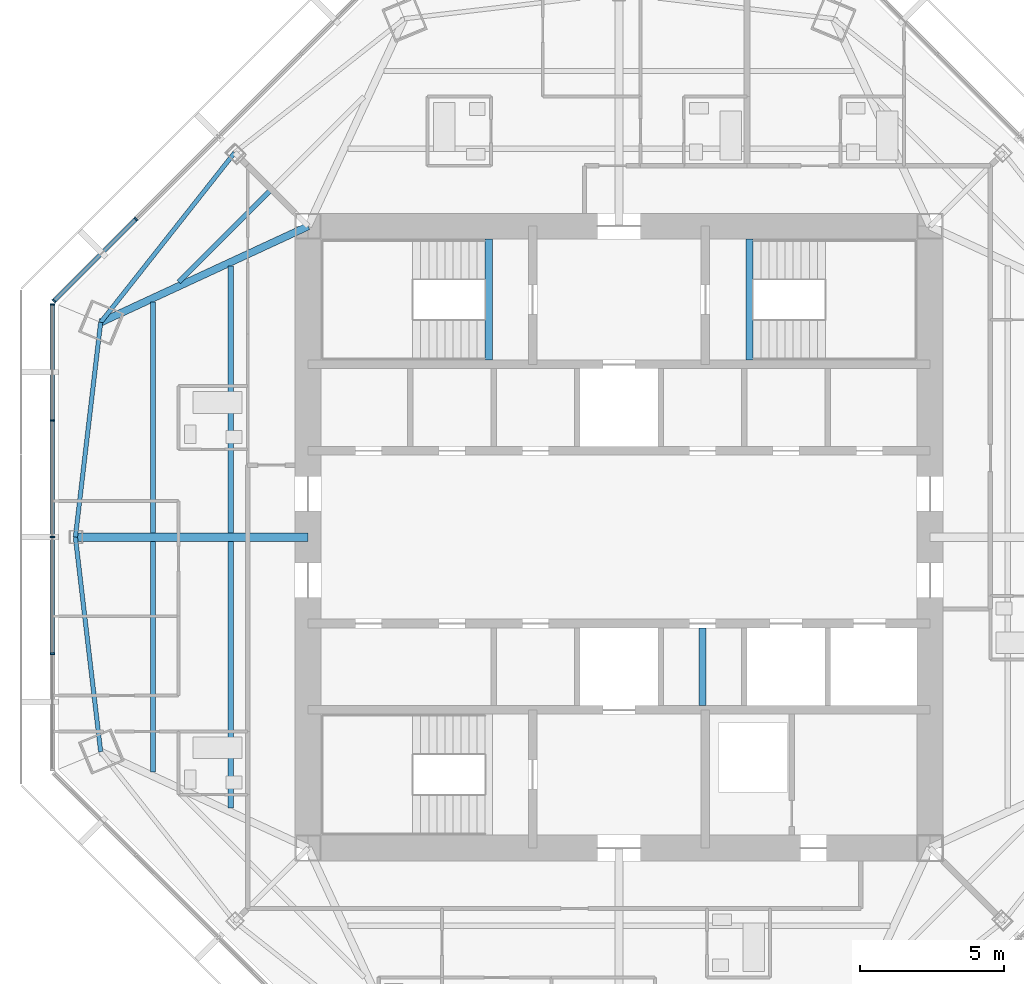
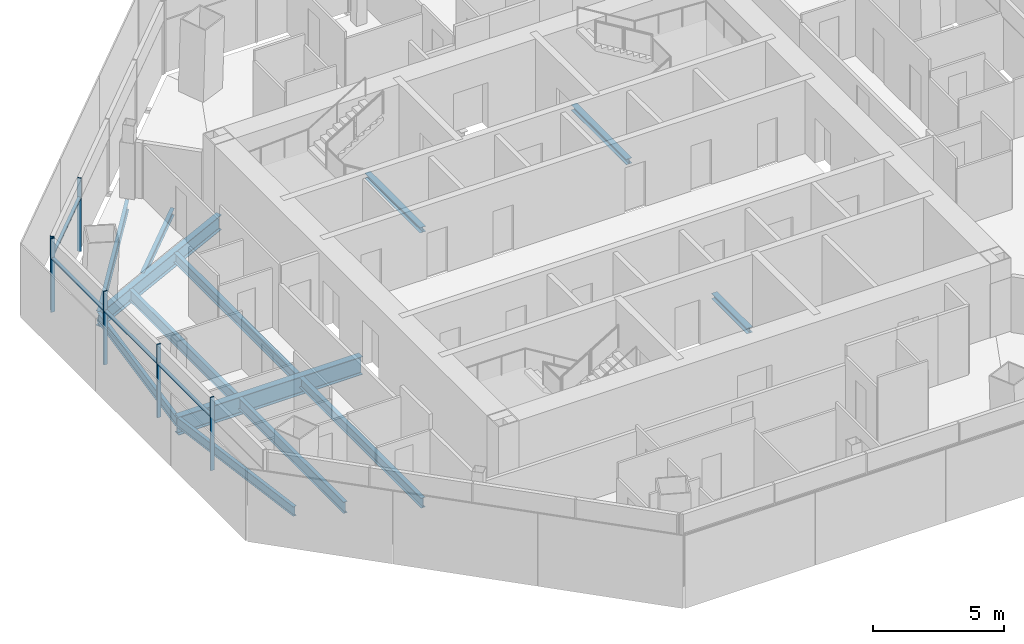
# One storey, part 4 of 15: 13 beams, 10 members, 2 elements without a shape of their own.
"""IFC4 building model written with IfcOpenShell, lengths in metres."""

from ifc_helpers import new_model, si_unit, direction, frame, origin, origin_2d, place, context, subcontext, project, spatial, rectangle, i_section, extrude, source, transform, mapped, material, material_profile, profile_set, type_object, type_shapes, element, aggregate, save


model = new_model("IFC4")

# Units and contexts
model_context = context("Model", 3, precision=1e-05, world=origin(), true_north=direction((0.0, 1.0)))
body_context = subcontext(model_context, "Body", "Model", "MODEL_VIEW")
ifc_project = project(units=[si_unit("LENGTHUNIT", "METRE"), si_unit("AREAUNIT", "SQUARE_METRE"), si_unit("VOLUMEUNIT", "CUBIC_METRE"), si_unit("PLANEANGLEUNIT", "RADIAN"), si_unit("MASSUNIT", "GRAM", prefix="KILO")], contexts=[model_context])

# Site, building, storey
site_placement = place(None, origin())
site = spatial("IfcSite", under=ifc_project, at=site_placement, CompositionType="ELEMENT")
building_placement = place(site_placement, origin())
building = spatial("IfcBuilding", under=site, at=building_placement, Name="Mashrafa Tower", CompositionType="ELEMENT")
storey_placement = place(building_placement, frame((0.0, 0.0, 294.60009765625)))
storey = spatial("IfcBuildingStorey", under=building, at=storey_placement, Name="L72", CompositionType="ELEMENT", Elevation=294.60009765625)

# Beams
ifc_material_1 = material(Name="Steel ASTM A992", Category="steel")
ifc_material_profile_1 = material_profile(ifc_material_1, i_section(OverallWidth=0.164794921875, OverallDepth=0.309814453125, WebThickness=0.005859375, FlangeThickness=0.009765625, FilletRadius=0.007568359375, at=origin_2d()), Name="W12X26")
ifc_profile_set_1 = profile_set([ifc_material_profile_1], Name="Steel ASTM A992")
beam_type_1 = type_object("IfcBeamType", Name="Beam W12X26", PredefinedType="BEAM", material=ifc_profile_set_1)
beam_1_placement = place(storey_placement, frame((-15.298095703125, 8.856689453125, -0.35498046875), z_axis=(0.707106781187, 0.707106781187, 0.0), x_axis=(-0.707106781187, 0.707106781187, 0.0)))
element("IfcBeam", 1, at=beam_1_placement, inside=storey, type_object=beam_type_1, Name="Floor beam L72 003", PredefinedType="BEAM", context=body_context, shape_type="SweptSolid", body=[
    extrude(i_section(OverallWidth=0.164794921875, OverallDepth=0.309814453125, WebThickness=0.005859375, FlangeThickness=0.009765625, FilletRadius=0.007568359375, at=origin_2d()), origin(), (0.0, 0.0, 1.0), 4.465576171875),
])
ifc_material_2 = material(Name="Steel ASTM A992", Category="steel")
ifc_material_profile_2 = material_profile(ifc_material_2, i_section(OverallWidth=0.15234375, OverallDepth=0.449462890625, WebThickness=0.007568359375, FlangeThickness=0.0107421875, FilletRadius=0.01025390625, at=origin_2d()), Name="W18X35")
ifc_profile_set_2 = profile_set([ifc_material_profile_2], Name="Steel ASTM A992")
beam_type_2 = type_object("IfcBeamType", Name="Beam W18X35", PredefinedType="BEAM", material=ifc_profile_set_2)
for number, where, z_axis, x_axis, name in (
    (2, (-18.88671875, 0.0, -0.4248046875), (0.116954405516, -0.993137285087, 0.0), (0.993137285087, 0.116954405516, 0.0), "Spandrel beam L72 041"),
    (3, (-18.00830078125, 7.459228515625, -0.4248046875), (-0.116954405516, -0.993137285087, 0.0), (0.993137285087, -0.116954405516, 0.0), "Spandrel beam L72 043"),
    (4, (-13.354736328125, 13.354736328125, -0.4248046875), (-0.619579997374, -0.784933517474, 0.0), (0.784933517474, -0.619579997374, 0.0), "Spandrel beam L72 045"),
):
    element("IfcBeam", number, at=place(storey_placement, frame(where, z_axis=z_axis, x_axis=x_axis)), inside=storey, type_object=beam_type_2, Name=name, PredefinedType="BEAM", context=body_context, shape_type="SweptSolid", body=[
        extrude(i_section(OverallWidth=0.15234375, OverallDepth=0.449462890625, WebThickness=0.007568359375, FlangeThickness=0.0107421875, FilletRadius=0.01025390625, at=origin_2d()), origin(), (0.0, 0.0, 1.0), 7.5107421875),
    ])
ifc_material_3 = material(Name="Steel ASTM A992", Category="steel")
ifc_material_profile_3 = material_profile(ifc_material_3, i_section(OverallWidth=0.191162109375, OverallDepth=0.459716796875, WebThickness=0.010009765625, FlangeThickness=0.01611328125, FilletRadius=0.01025390625, at=origin_2d()), Name="W18X55")
ifc_profile_set_3 = profile_set([ifc_material_profile_3], Name="Steel ASTM A992")
beam_type_3 = type_object("IfcBeamType", Name="Beam W18X55", PredefinedType="BEAM", material=ifc_profile_set_3)
for number, where, z_axis, x_axis, name in (
    (5, (-13.49560546875, -9.409423828125, -0.429931640625), (0.0, 1.0, 0.0), (-1.0, 0.0, 0.0), "Floor beam L72 004"),
    (6, (-13.49560546875, 0.14599609375, -0.429931640625), (0.0, 1.0, 0.0), (-1.0, 0.0, 0.0), "Floor beam L72 005"),
):
    element("IfcBeam", number, at=place(storey_placement, frame(where, z_axis=z_axis, x_axis=x_axis)), inside=storey, type_object=beam_type_3, Name=name, PredefinedType="BEAM", context=body_context, shape_type="SweptSolid", body=[
        extrude(i_section(OverallWidth=0.191162109375, OverallDepth=0.459716796875, WebThickness=0.010009765625, FlangeThickness=0.01611328125, FilletRadius=0.01025390625, at=origin_2d()), origin(), (0.0, 0.0, 1.0), 9.263427734375),
    ])
ifc_material_4 = material(Name="Steel ASTM A992", Category="steel")
ifc_material_profile_4 = material_profile(ifc_material_4, i_section(OverallWidth=0.165771484375, OverallDepth=0.5283203125, WebThickness=0.009765625, FlangeThickness=0.013671875, FilletRadius=0.012939453125, at=origin_2d()), Name="W21X50")
ifc_profile_set_4 = profile_set([ifc_material_profile_4], Name="Steel ASTM A992")
beam_type_4 = type_object("IfcBeamType", Name="Beam W21X50", PredefinedType="BEAM", material=ifc_profile_set_4)
for number, where, z_axis, x_axis, name in (
    (7, (-16.191162109375, -8.16015625, -0.46435546875), (0.0, 1.0, 0.0), (-1.0, 0.0, 0.0), "Floor beam L72 001"),
    (8, (-16.191162109375, 0.14599609375, -0.46435546875), (0.0, 1.0, 0.0), (-1.0, 0.0, 0.0), "Floor beam L72 002"),
):
    element("IfcBeam", number, at=place(storey_placement, frame(where, z_axis=z_axis, x_axis=x_axis)), inside=storey, type_object=beam_type_4, Name=name, PredefinedType="BEAM", context=body_context, shape_type="SweptSolid", body=[
        extrude(i_section(OverallWidth=0.165771484375, OverallDepth=0.5283203125, WebThickness=0.009765625, FlangeThickness=0.013671875, FilletRadius=0.012939453125, at=origin_2d()), origin(), (0.0, 0.0, 1.0), 8.01416015625),
    ])
ifc_material_5 = material(Name="Steel ASTM A992", Category="steel")
ifc_material_profile_5 = material_profile(ifc_material_5, i_section(OverallWidth=0.256591796875, OverallDepth=0.693359375, WebThickness=0.014404296875, FlangeThickness=0.023681640625, FilletRadius=0.01513671875, at=origin_2d()), Name="W27X114")
ifc_profile_set_5 = profile_set([ifc_material_profile_5], Name="Steel ASTM A992")
beam_type_5 = type_object("IfcBeamType", Name="Beam W27X114", PredefinedType="BEAM", material=ifc_profile_set_5)
beam_2_placement = place(storey_placement, frame((-10.800048828125, 10.800048828125, -0.546875), z_axis=(-0.907290876602, -0.420503585281, 0.0), x_axis=(0.420503585281, -0.907290876602, 0.0)))
element("IfcBeam", 9, at=beam_2_placement, inside=storey, type_object=beam_type_5, Name="Radial girder L72 029", PredefinedType="BEAM", context=body_context, shape_type="SweptSolid", body=[
    extrude(i_section(OverallWidth=0.256591796875, OverallDepth=0.693359375, WebThickness=0.014404296875, FlangeThickness=0.023681640625, FilletRadius=0.01513671875, at=origin_2d()), origin(), (0.0, 0.0, 1.0), 7.94482421875),
])
ifc_material_6 = material(Name="Steel ASTM A992", Category="steel")
ifc_material_profile_6 = material_profile(ifc_material_6, i_section(OverallWidth=0.2919921875, OverallDepth=0.8408203125, WebThickness=0.0146484375, FlangeThickness=0.021728515625, FilletRadius=0.017333984375, at=origin_2d()), Name="W33X130")
ifc_profile_set_6 = profile_set([ifc_material_profile_6], Name="Steel ASTM A992")
beam_type_6 = type_object("IfcBeamType", Name="Beam W33X130", PredefinedType="BEAM", material=ifc_profile_set_6)
beam_3_placement = place(storey_placement, frame((-10.800048828125, 0.0, -0.620361328125), z_axis=(-1.0, 0.0, 0.0), x_axis=(0.0, -1.0, 0.0)))
element("IfcBeam", 10, at=beam_3_placement, inside=storey, type_object=beam_type_6, Name="Radial girder L72 028", PredefinedType="BEAM", context=body_context, shape_type="SweptSolid", body=[
    extrude(i_section(OverallWidth=0.2919921875, OverallDepth=0.8408203125, WebThickness=0.0146484375, FlangeThickness=0.021728515625, FilletRadius=0.017333984375, at=origin_2d()), origin(), (0.0, 0.0, 1.0), 8.086669921875),
])
ifc_material_7 = material(Name="Steel ASTM A992", Category="steel")
ifc_material_profile_7 = material_profile(ifc_material_7, i_section(OverallWidth=0.25390625, OverallDepth=0.25390625, WebThickness=0.008544921875, FlangeThickness=0.01416015625, FilletRadius=0.010009765625, at=origin_2d()), Name="W10X49")
ifc_profile_set_7 = profile_set([ifc_material_profile_7], Name="Steel ASTM A992")
beam_type_7 = type_object("IfcBeamType", Name="Hoistway beam W10X49", PredefinedType="BEAM", material=ifc_profile_set_7)
beam_4_placement = place(storey_placement, frame((2.89990234375, -5.85009765625, -0.3271484375), z_axis=(0.0, 1.0, 0.0), x_axis=(-1.0, 0.0, 0.0)))
element("IfcBeam", 11, at=beam_4_placement, inside=storey, type_object=beam_type_7, Name="Hoistway beam L72 08", PredefinedType="BEAM", context=body_context, shape_type="SweptSolid", body=[
    extrude(i_section(OverallWidth=0.25390625, OverallDepth=0.25390625, WebThickness=0.008544921875, FlangeThickness=0.01416015625, FilletRadius=0.010009765625, at=origin_2d()), origin(), (0.0, 0.0, 1.0), 2.7001953125),
])
for number, where, z_axis, x_axis, name in (
    (12, (-4.530029296875, 6.14990234375, -0.3271484375), (0.0, 1.0, 0.0), (-1.0, 0.0, 0.0), "Stair S1 landing beam L72"),
    (13, (4.530029296875, 6.14990234375, -0.3271484375), (0.0, 1.0, 0.0), (-1.0, 0.0, 0.0), "Stair S2 landing beam L72"),
):
    element("IfcBeam", number, at=place(storey_placement, frame(where, z_axis=z_axis, x_axis=x_axis)), inside=storey, type_object=beam_type_7, Name=name, PredefinedType="BEAM", context=body_context, shape_type="SweptSolid", body=[
        extrude(i_section(OverallWidth=0.25390625, OverallDepth=0.25390625, WebThickness=0.008544921875, FlangeThickness=0.01416015625, FilletRadius=0.010009765625, at=origin_2d()), origin(), (0.0, 0.0, 1.0), 4.2001953125),
    ])

# Curtain wall, members
ifc_material_8 = material(Name="Unitised aluminium curtain wall", Category="aluminium")
curtain_wall_type = type_object("IfcCurtainWallType", Name="Apartment curtain wall, zone 4 CW-D 160 deep", PredefinedType="NOTDEFINED", material=ifc_material_8)
curtain_wall_1_placement = place(storey_placement, origin())
curtain_wall_1 = element("IfcCurtainWall", 14, at=curtain_wall_1_placement, inside=storey, type_object=curtain_wall_type, Name="Apartment curtain wall, zone 4 L72 north-west", PredefinedType="NOTDEFINED")
ifc_material_9 = material(Name="Extruded aluminium mullion", Category="aluminium")
ifc_material_profile_8 = material_profile(ifc_material_9, rectangle(XDim=0.159912109375, YDim=0.06005859375, at=origin_2d()), Name="Mullion 60x160")
ifc_profile_set_8 = profile_set([ifc_material_profile_8], Name="Extruded aluminium mullion")
member_type_1 = type_object("IfcMemberType", Name="Mullion CW-D 60 x 160", PredefinedType="MULLION", material=ifc_profile_set_8)
shared_shape_1 = source(origin(), body_context, "Body", "SweptSolid", [
    extrude(rectangle(XDim=0.159912109375, YDim=0.06005859375, at=origin_2d()), origin(), (0.0, 0.0, 1.0), 3.39990234375),
])
type_shapes(member_type_1, [shared_shape_1])
member_1_placement = place(storey_placement, frame((-16.783447265625, 11.049560546875, 0.0), z_axis=(0.0, 0.0, 1.0), x_axis=(0.707106781187, -0.707106781187, 0.0)))
member_1 = element("IfcMember", 15, at=member_1_placement, type_object=member_type_1, Name="CW-D mullion 4", PredefinedType="MULLION", context=body_context, shape_type="MappedRepresentation", body=[
    mapped(shared_shape_1, transform((0.0, 0.0, 0.0))),
])
member_2_placement = place(storey_placement, frame((-19.629150390625, 8.203857421875, 0.0), z_axis=(0.0, 0.0, 1.0), x_axis=(0.707106781187, -0.707106781187, 0.0)))
member_2 = element("IfcMember", 16, at=member_2_placement, type_object=member_type_1, Name="CW-D mullion 5", PredefinedType="MULLION", context=body_context, shape_type="MappedRepresentation", body=[
    mapped(shared_shape_1, transform((0.0, 0.0, 0.0))),
])

curtain_wall_2_placement = place(storey_placement, origin())
curtain_wall_2 = element("IfcCurtainWall", 17, at=curtain_wall_2_placement, inside=storey, type_object=curtain_wall_type, Name="Apartment curtain wall, zone 4 L72 west", PredefinedType="NOTDEFINED")
member_3_placement = place(storey_placement, frame((-19.680908203125, 8.078857421875, 0.0), z_axis=(0.0, 0.0, 1.0), x_axis=(1.0, 0.0, 0.0)))
member_3 = element("IfcMember", 18, at=member_3_placement, type_object=member_type_1, Name="CW-D mullion 1", PredefinedType="MULLION", context=body_context, shape_type="MappedRepresentation", body=[
    mapped(shared_shape_1, transform((0.0, 0.0, 0.0))),
])
member_4_placement = place(storey_placement, frame((-19.680908203125, 4.054443359375, 0.0), z_axis=(0.0, 0.0, 1.0), x_axis=(1.0, 0.0, 0.0)))
member_4 = element("IfcMember", 19, at=member_4_placement, type_object=member_type_1, Name="CW-D mullion 2", PredefinedType="MULLION", context=body_context, shape_type="MappedRepresentation", body=[
    mapped(shared_shape_1, transform((0.0, 0.0, 0.0))),
])
member_5_placement = place(storey_placement, frame((-19.680908203125, 0.0, 0.0), z_axis=(0.0, 0.0, 1.0), x_axis=(1.0, 0.0, 0.0)))
member_5 = element("IfcMember", 20, at=member_5_placement, type_object=member_type_1, Name="CW-D mullion 3", PredefinedType="MULLION", context=body_context, shape_type="MappedRepresentation", body=[
    mapped(shared_shape_1, transform((0.0, 0.0, 0.0))),
])
member_6_placement = place(storey_placement, frame((-19.680908203125, -4.054443359375, 0.0), z_axis=(0.0, 0.0, 1.0), x_axis=(1.0, 0.0, 0.0)))
member_6 = element("IfcMember", 21, at=member_6_placement, type_object=member_type_1, Name="CW-D mullion 4", PredefinedType="MULLION", context=body_context, shape_type="MappedRepresentation", body=[
    mapped(shared_shape_1, transform((0.0, 0.0, 0.0))),
])
ifc_material_10 = material(Name="Extruded aluminium transom", Category="aluminium")
ifc_material_profile_9 = material_profile(ifc_material_10, rectangle(XDim=0.1279296875, YDim=0.074951171875, at=origin_2d()), Name="Transom 75x128")
ifc_profile_set_9 = profile_set([ifc_material_profile_9], Name="Extruded aluminium transom")
member_type_2 = type_object("IfcMemberType", Name="Transom CW-D 75 x 128", PredefinedType="MULLION", material=ifc_profile_set_9)
shared_shape_2 = source(origin(), body_context, "Body", "SweptSolid", [
    extrude(rectangle(XDim=0.1279296875, YDim=0.074951171875, at=origin_2d()), origin(), (0.0, 0.0, 1.0), 3.964599609375),
])
member_7_placement = place(storey_placement, frame((-19.680908203125, 8.049072265625, 2.5), z_axis=(0.0, -1.0, 0.0), x_axis=(1.0, 0.0, 0.0)))
member_7 = element("IfcMember", 22, at=member_7_placement, type_object=member_type_2, Name="CW-D transom 1", PredefinedType="MULLION", context=body_context, shape_type="MappedRepresentation", body=[
    mapped(shared_shape_2, transform((0.0, 0.0, 0.0))),
])
shared_shape_3 = source(origin(), body_context, "Body", "SweptSolid", [
    extrude(rectangle(XDim=0.1279296875, YDim=0.074951171875, at=origin_2d()), origin(), (0.0, 0.0, 1.0), 3.994384765625),
])
member_8_placement = place(storey_placement, frame((-19.680908203125, 4.0244140625, 2.5), z_axis=(0.0, -1.0, 0.0), x_axis=(1.0, 0.0, 0.0)))
member_8 = element("IfcMember", 23, at=member_8_placement, type_object=member_type_2, Name="CW-D transom 2", PredefinedType="MULLION", context=body_context, shape_type="MappedRepresentation", body=[
    mapped(shared_shape_3, transform((0.0, 0.0, 0.0))),
])
member_9_placement = place(storey_placement, frame((-19.680908203125, -0.030029296875, 2.5), z_axis=(0.0, -1.0, 0.0), x_axis=(1.0, 0.0, 0.0)))
member_9 = element("IfcMember", 24, at=member_9_placement, type_object=member_type_2, Name="CW-D transom 3", PredefinedType="MULLION", context=body_context, shape_type="MappedRepresentation", body=[
    mapped(shared_shape_3, transform((0.0, 0.0, 0.0))),
])
aggregate(curtain_wall_2, [member_3, member_4, member_5, member_6, member_7, member_8, member_9])

# Member
shared_shape_4 = source(origin(), body_context, "Body", "SweptSolid", [
    extrude(rectangle(XDim=0.1279296875, YDim=0.074951171875, at=origin_2d()), origin(), (0.0, 0.0, 1.0), 3.96435546875),
])
type_shapes(member_type_2, [shared_shape_2, shared_shape_3, shared_shape_4])
member_10_placement = place(storey_placement, frame((-16.8046875, 11.0283203125, 2.5), z_axis=(-0.707106781187, -0.707106781187, 0.0), x_axis=(0.707106781187, -0.707106781187, 0.0)))
member_10 = element("IfcMember", 25, at=member_10_placement, type_object=member_type_2, Name="CW-D transom 4", PredefinedType="MULLION", context=body_context, shape_type="MappedRepresentation", body=[
    mapped(shared_shape_4, transform((0.0, 0.0, 0.0))),
])

aggregate(curtain_wall_1, [member_1, member_2, member_10])

save(model, "model.ifc")
